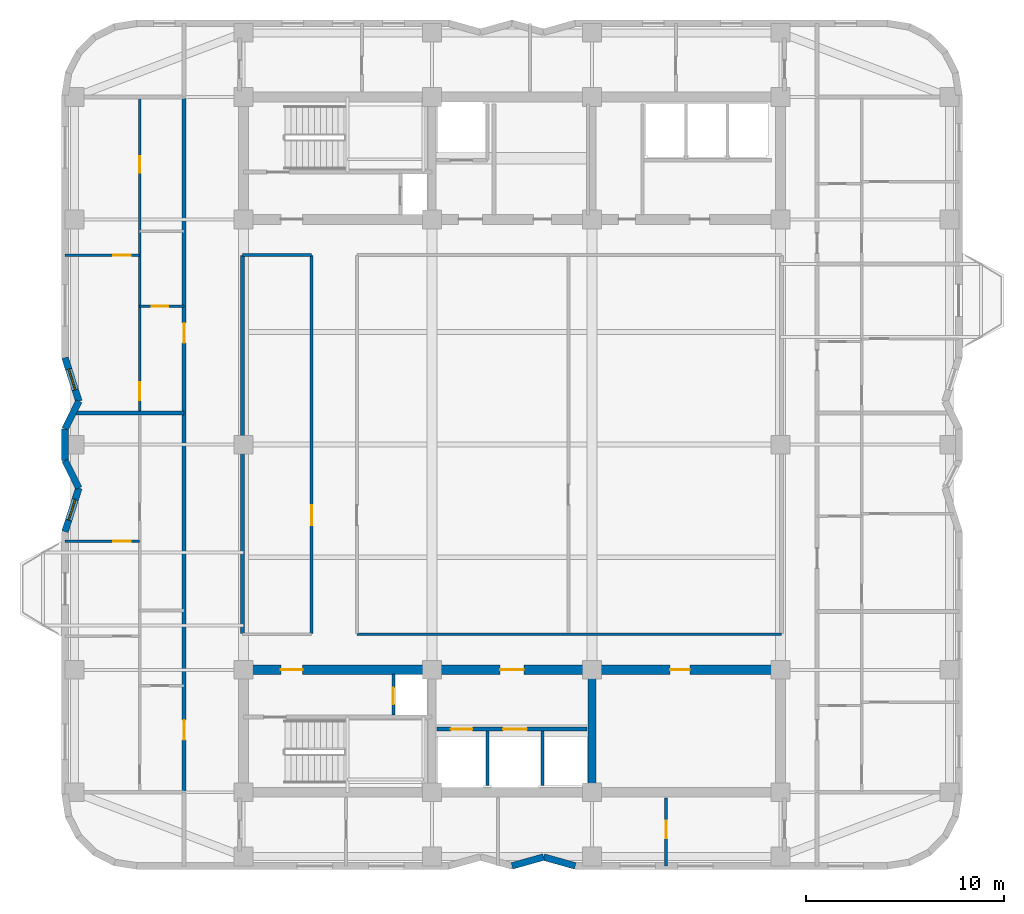
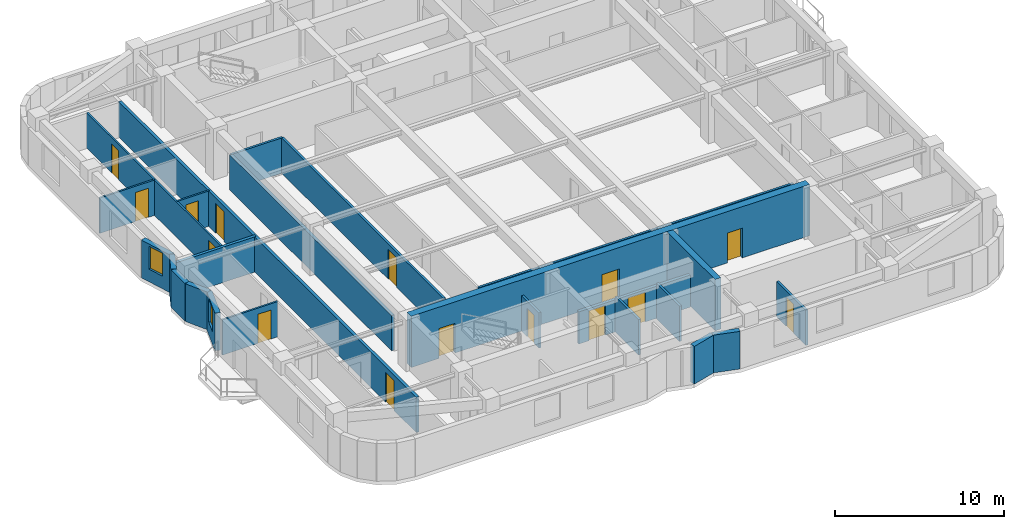
# One storey, part 3 of 9: 24 walls, 15 doors, 2 windows, 17 openings.
"""IFC4 building model written with IfcOpenShell, lengths in metres."""

from ifc_helpers import new_model, si_unit, direction, frame, frame_2d, origin, place, context, subcontext, project, spatial, rectangle, extrude, material, layer, layer_set, type_object, element, fill, save


model = new_model("IFC4")

# Units and contexts
model_context = context("Model", 3, precision=1e-05, world=origin(), true_north=direction((0.0, 1.0)))
body_context = subcontext(model_context, "Body", "Model", "MODEL_VIEW")
ifc_project = project(units=[si_unit("LENGTHUNIT", "METRE"), si_unit("AREAUNIT", "SQUARE_METRE"), si_unit("VOLUMEUNIT", "CUBIC_METRE"), si_unit("PLANEANGLEUNIT", "RADIAN"), si_unit("MASSUNIT", "GRAM", prefix="KILO")], contexts=[model_context])

# Site, building, storey
site_placement = place(None, origin())
site = spatial("IfcSite", under=ifc_project, at=site_placement, CompositionType="ELEMENT")
building_placement = place(site_placement, origin())
building = spatial("IfcBuilding", under=site, at=building_placement, Name="Svetorya Sky Lyceum", CompositionType="ELEMENT")
storey_placement = place(building_placement, frame((0.0, 0.0, 181.10009765625)))
storey = spatial("IfcBuildingStorey", under=building, at=storey_placement, Name="L45", CompositionType="ELEMENT", Elevation=181.10009765625)

# Wall
ifc_material_1 = material(Name="Concrete C40/50", Category="concrete")
ifc_layer_1 = layer(ifc_material_1, 0.39990234375)
ifc_layer_set_1 = layer_set([ifc_layer_1], Name="Concrete C40/50")
wall_type_1 = type_object("IfcWallType", Name="WL-CORE-400", PredefinedType="SHEAR", material=ifc_layer_set_1)
wall_1_placement = place(storey_placement, frame((43.25, 10.85009765625, 0.0), z_axis=(0.0, 0.0, 1.0), x_axis=(0.0, 1.0, 0.0)))
element("IfcWall", 1, at=wall_1_placement, inside=storey, type_object=wall_type_1, Name="L45 SC Internal Shear Web WEB2", PredefinedType="SHEAR", context=body_context, shape_type="SweptSolid", body=[
    extrude(rectangle(XDim=5.699951171875, YDim=0.39990234375, at=frame_2d((2.85009765625, 0.0))), origin(), (0.0, 0.0, 1.0), 3.699951171875),
])

# Wall, openings, doors
ifc_material_2 = material(Name="Concrete C50/60", Category="concrete")
ifc_layer_2 = layer(ifc_material_2, 0.5)
ifc_layer_set_2 = layer_set([ifc_layer_2], Name="Concrete C50/60")
wall_type_2 = type_object("IfcWallType", Name="WL-CORE-500", PredefinedType="SHEAR", material=ifc_layer_set_2)
wall_2_placement = place(storey_placement, frame((25.60009765625, 16.800048828125, 0.0), z_axis=(0.0, 0.0, 1.0), x_axis=(1.0, 0.0, 0.0)))
wall_2 = element("IfcWall", 2, at=wall_2_placement, inside=storey, type_object=wall_type_2, Name="L45 SC Inner Core Shear Wall", PredefinedType="SHEAR", context=body_context, shape_type="SweptSolid", body=[
    extrude(rectangle(XDim=27.199951171875, YDim=0.5, at=frame_2d((13.60009765625, 0.0))), origin(), (0.0, 0.0, 1.0), 3.699951171875),
])
opening_1_placement = place(wall_2_placement, frame((1.89990234375, 0.0, 0.0)))
opening_1 = element("IfcOpeningElement", 3, at=opening_1_placement, cuts=wall_2, Name="Opening D-ST1", PredefinedType="OPENING", context=body_context, shape_type="SweptSolid", body=[
    extrude(rectangle(XDim=1.10009765625, YDim=2.14990234375, at=frame_2d((0.550048828125, 1.074951171875))), frame((0.0, 0.260009765625, 0.0), z_axis=(0.0, -1.0, 0.0), x_axis=(1.0, 0.0, 0.0)), (0.0, 0.0, 1.0), 0.52001953125),
])
opening_2_placement = place(wall_2_placement, frame((13.0, 0.0, 0.0)))
opening_2 = element("IfcOpeningElement", 4, at=opening_2_placement, cuts=wall_2, Name="Opening D-FL1", PredefinedType="OPENING", context=body_context, shape_type="SweptSolid", body=[
    extrude(rectangle(XDim=1.199951171875, YDim=2.14990234375, at=frame_2d((0.60009765625, 1.074951171875))), frame((0.0, 0.260009765625, 0.0), z_axis=(0.0, -1.0, 0.0), x_axis=(1.0, 0.0, 0.0)), (0.0, 0.0, 1.0), 0.52001953125),
])
opening_3_placement = place(wall_2_placement, frame((21.60009765625, 0.0, 0.0)))
opening_3 = element("IfcOpeningElement", 5, at=opening_3_placement, cuts=wall_2, Name="Opening D-RM2", PredefinedType="OPENING", context=body_context, shape_type="SweptSolid", body=[
    extrude(rectangle(XDim=1.0, YDim=2.14990234375, at=frame_2d((0.5, 1.074951171875))), frame((0.0, 0.260009765625, 0.0), z_axis=(0.0, -1.0, 0.0), x_axis=(1.0, 0.0, 0.0)), (0.0, 0.0, 1.0), 0.52001953125),
])
ifc_material_3 = material(Name="Powder-coated insulated galvanized stair fire door")
door_type_1 = type_object("IfcDoorType", Name="DR-FIRE-1100", OperationType="SINGLE_SWING_LEFT", PredefinedType="DOOR", material=ifc_material_3)
door_1_placement = place(opening_1_placement, origin())
door_1 = element("IfcDoor", 6, at=door_1_placement, inside=storey, type_object=door_type_1, Name="L45 South Stair Airlock Door", OperationType="SINGLE_SWING_RIGHT", OverallHeight=2.14990234375, OverallWidth=1.10009765625, PredefinedType="DOOR", context=body_context, shape_type="SweptSolid", body=[
    extrude(rectangle(XDim=1.10009765625, YDim=2.14990234375, at=frame_2d((0.550048828125, 1.074951171875))), frame((0.0, 0.02490234375, 0.0), z_axis=(0.0, -1.0, 0.0), x_axis=(1.0, 0.0, 0.0)), (0.0, 0.0, 1.0), 0.050048828125),
])
fill(opening_1, door_1)
ifc_material_4 = material(Name="Powder-coated insulated galvanized fire door")
door_type_2 = type_object("IfcDoorType", Name="DR-FIRE-1200", OperationType="SINGLE_SWING_LEFT", PredefinedType="DOOR", material=ifc_material_4)
door_2_placement = place(opening_2_placement, origin())
door_2 = element("IfcDoor", 7, at=door_2_placement, inside=storey, type_object=door_type_2, Name="L45 South Firefighting Lift Lobby Door", OperationType="SINGLE_SWING_LEFT", OverallHeight=2.14990234375, OverallWidth=1.199951171875, PredefinedType="DOOR", context=body_context, shape_type="SweptSolid", body=[
    extrude(rectangle(XDim=1.199951171875, YDim=2.14990234375, at=frame_2d((0.60009765625, 1.074951171875))), frame((0.0, 0.02490234375, 0.0), z_axis=(0.0, -1.0, 0.0), x_axis=(1.0, 0.0, 0.0)), (0.0, 0.0, 1.0), 0.050048828125),
])
fill(opening_2, door_2)
ifc_material_5 = material(Name="Solid-core oak acoustic room door")
door_type_3 = type_object("IfcDoorType", Name="DR-INT-1000", OperationType="SINGLE_SWING_LEFT", PredefinedType="DOOR", material=ifc_material_5)
door_3_placement = place(opening_3_placement, origin())
door_3 = element("IfcDoor", 8, at=door_3_placement, inside=storey, type_object=door_type_3, Name="L45 Trunk Store Door", OperationType="SINGLE_SWING_LEFT", OverallHeight=2.14990234375, OverallWidth=1.0, PredefinedType="DOOR", context=body_context, shape_type="SweptSolid", body=[
    extrude(rectangle(XDim=1.0, YDim=2.14990234375, at=frame_2d((0.5, 1.074951171875))), frame((0.0, 0.02490234375, 0.0), z_axis=(0.0, -1.0, 0.0), x_axis=(1.0, 0.0, 0.0)), (0.0, 0.0, 1.0), 0.050048828125),
])
fill(opening_3, door_3)

# Walls
ifc_material_6 = material(Name="Putilovo limestone rainscreen on autoclaved cellular masonry", Category="masonry")
ifc_layer_3 = layer(ifc_material_6, 0.340087890625)
ifc_layer_set_3 = layer_set([ifc_layer_3], Name="Putilovo limestone rainscreen on autoclaved cellular masonry")
wall_type_3 = type_object("IfcWallType", Name="WL-EXT-340", PredefinedType="SOLIDWALL", material=ifc_layer_set_3)
wall_3_placement = place(storey_placement, frame((39.199951171875, 6.8701171875, 0.0), z_axis=(0.0, 0.0, 1.0), x_axis=(0.962662902433, 0.270703040766, 0.0)))
element("IfcWall", 9, at=wall_3_placement, inside=storey, type_object=wall_type_3, Name="L45 Limestone Exterior Wall 9M", PredefinedType="SOLIDWALL", context=body_context, shape_type="SweptSolid", body=[
    extrude(rectangle(XDim=1.662109375, YDim=0.340087890625, at=frame_2d((0.8310546875, 0.0))), origin(), (0.0, 0.0, 1.0), 2.719970703125),
])
wall_4_placement = place(storey_placement, frame((40.800048828125, 7.320068359375, 0.0), z_axis=(0.0, 0.0, 1.0), x_axis=(0.962652136636, -0.270741322725, 0.0)))
element("IfcWall", 10, at=wall_4_placement, inside=storey, type_object=wall_type_3, Name="L45 Limestone Exterior Wall 10M", PredefinedType="SOLIDWALL", context=body_context, shape_type="SweptSolid", body=[
    extrude(rectangle(XDim=1.661865234375, YDim=0.340087890625, at=frame_2d((0.8310546875, 0.0))), origin(), (0.0, 0.0, 1.0), 2.719970703125),
])

# Wall, opening, window
wall_5_placement = place(storey_placement, frame((16.570068359375, 32.60009765625, 0.0), z_axis=(0.0, 0.0, 1.0), x_axis=(0.303160011437, -0.952939666225, 0.0)))
wall_5 = element("IfcWall", 11, at=wall_5_placement, inside=storey, type_object=wall_type_3, Name="L45 Limestone Exterior Wall 41M", PredefinedType="SOLIDWALL", context=body_context, shape_type="SweptSolid", body=[
    extrude(rectangle(XDim=2.308837890625, YDim=0.340087890625, at=frame_2d((1.154296875, 0.0))), origin(), (0.0, 0.0, 1.0), 2.719970703125),
])
opening_4_placement = place(wall_5_placement, frame((0.604248046875, 0.0, 0.909912109375)))
opening_4 = element("IfcOpeningElement", 12, at=opening_4_placement, cuts=wall_5, Name="Opening W-R3", PredefinedType="OPENING", context=body_context, shape_type="SweptSolid", body=[
    extrude(rectangle(XDim=1.10009765625, YDim=1.64990234375, at=frame_2d((0.550048828125, 0.824951171875))), frame((0.0, 0.179931640625, 0.0), z_axis=(0.0, -1.0, 0.0), x_axis=(1.0, 0.0, 0.0)), (0.0, 0.0, 1.0), 0.360107421875),
])
ifc_material_7 = material(Name="Thermally broken aluminium frame with triple low-E glazing", Category="aluminium")
window_type = type_object("IfcWindowType", Name="WN-RES-110", PartitioningType="SINGLE_PANEL", PredefinedType="WINDOW", material=ifc_material_7)
window_1_placement = place(opening_4_placement, origin())
window_1 = element("IfcWindow", 13, at=window_1_placement, inside=storey, type_object=window_type, Name="L45 Facade Window W-R3.41M.1", OverallHeight=1.64990234375, OverallWidth=1.10009765625, PartitioningType="SINGLE_PANEL", PredefinedType="WINDOW", context=body_context, shape_type="SweptSolid", body=[
    extrude(rectangle(XDim=1.10009765625, YDim=1.64990234375, at=frame_2d((0.550048828125, 0.824951171875))), frame((0.0, 0.030029296875, 0.0), z_axis=(0.0, -1.0, 0.0), x_axis=(1.0, 0.0, 0.0)), (0.0, 0.0, 1.0), 0.06005859375),
])
fill(opening_4, window_1)

# Walls
wall_6_placement = place(storey_placement, frame((17.27001953125, 30.39990234375, 0.0), z_axis=(0.0, 0.0, 1.0), x_axis=(-0.4472135955, -0.894427191, 0.0)))
element("IfcWall", 14, at=wall_6_placement, inside=storey, type_object=wall_type_3, Name="L45 Limestone Exterior Wall 42M", PredefinedType="SOLIDWALL", context=body_context, shape_type="SweptSolid", body=[
    extrude(rectangle(XDim=1.565185546875, YDim=0.340087890625, at=frame_2d((0.78271484375, 0.0))), origin(), (0.0, 0.0, 1.0), 2.719970703125),
])
wall_7_placement = place(storey_placement, frame((16.570068359375, 29.0, 0.0), z_axis=(0.0, 0.0, 1.0), x_axis=(0.0, -1.0, 0.0)))
element("IfcWall", 15, at=wall_7_placement, inside=storey, type_object=wall_type_3, Name="L45 Limestone Exterior Wall 43M", PredefinedType="SOLIDWALL", context=body_context, shape_type="SweptSolid", body=[
    extrude(rectangle(XDim=1.60009765625, YDim=0.340087890625, at=frame_2d((0.800048828125, 0.0))), origin(), (0.0, 0.0, 1.0), 2.719970703125),
])
wall_8_placement = place(storey_placement, frame((16.570068359375, 27.39990234375, 0.0), z_axis=(0.0, 0.0, 1.0), x_axis=(0.4472135955, -0.894427191, 0.0)))
element("IfcWall", 16, at=wall_8_placement, inside=storey, type_object=wall_type_3, Name="L45 Limestone Exterior Wall 44M", PredefinedType="SOLIDWALL", context=body_context, shape_type="SweptSolid", body=[
    extrude(rectangle(XDim=1.565185546875, YDim=0.340087890625, at=frame_2d((0.78271484375, 0.0))), origin(), (0.0, 0.0, 1.0), 2.719970703125),
])

# Wall, opening, window
wall_9_placement = place(storey_placement, frame((17.27001953125, 26.0, 0.0), z_axis=(0.0, 0.0, 1.0), x_axis=(-0.303190562272, -0.952929946507, 0.0)))
wall_9 = element("IfcWall", 17, at=wall_9_placement, inside=storey, type_object=wall_type_3, Name="L45 Limestone Exterior Wall 45M", PredefinedType="SOLIDWALL", context=body_context, shape_type="SweptSolid", body=[
    extrude(rectangle(XDim=2.30859375, YDim=0.340087890625, at=frame_2d((1.154296875, 0.0))), origin(), (0.0, 0.0, 1.0), 2.719970703125),
])
opening_5_placement = place(wall_9_placement, frame((0.604248046875, 0.0, 0.909912109375)))
opening_5 = element("IfcOpeningElement", 18, at=opening_5_placement, cuts=wall_9, Name="Opening W-R3", PredefinedType="OPENING", context=body_context, shape_type="SweptSolid", body=[
    extrude(rectangle(XDim=1.10009765625, YDim=1.64990234375, at=frame_2d((0.550048828125, 0.824951171875))), frame((0.0, 0.179931640625, 0.0), z_axis=(0.0, -1.0, 0.0), x_axis=(1.0, 0.0, 0.0)), (0.0, 0.0, 1.0), 0.360107421875),
])
window_2_placement = place(opening_5_placement, origin())
window_2 = element("IfcWindow", 19, at=window_2_placement, inside=storey, type_object=window_type, Name="L45 Facade Window W-R3.45M.1", OverallHeight=1.64990234375, OverallWidth=1.10009765625, PartitioningType="SINGLE_PANEL", PredefinedType="WINDOW", context=body_context, shape_type="SweptSolid", body=[
    extrude(rectangle(XDim=1.10009765625, YDim=1.64990234375, at=frame_2d((0.550048828125, 0.824951171875))), frame((0.0, 0.030029296875, 0.0), z_axis=(0.0, -1.0, 0.0), x_axis=(1.0, 0.0, 0.0)), (0.0, 0.0, 1.0), 0.06005859375),
])
fill(opening_5, window_2)

# Wall, opening, door
ifc_material_8 = material(Name="Twin-stud galvanized framing with double fireboard", Category="gypsum")
ifc_layer_4 = layer(ifc_material_8, 0.1201171875)
ifc_layer_set_4 = layer_set([ifc_layer_4], Name="Twin-stud galvanized framing with double fireboard")
wall_type_4 = type_object("IfcWallType", Name="WL-PART-120", PredefinedType="PARTITIONING", material=ifc_layer_set_4)
wall_10_placement = place(storey_placement, frame((16.570068359375, 23.300048828125, 0.0), z_axis=(0.0, 0.0, 1.0), x_axis=(1.0, 0.0, 0.0)))
wall_10 = element("IfcWall", 20, at=wall_10_placement, inside=storey, type_object=wall_type_4, Name="L45 Interior Partition W1-WL2", PredefinedType="PARTITIONING", context=body_context, shape_type="SweptSolid", body=[
    extrude(rectangle(XDim=3.780029296875, YDim=0.1201171875, at=frame_2d((1.89013671875, 0.0))), origin(), (0.0, 0.0, 1.0), 2.5498046875),
])
opening_6_placement = place(wall_10_placement, frame((2.429931640625, 0.0, 0.0)))
opening_6 = element("IfcOpeningElement", 21, at=opening_6_placement, cuts=wall_10, Name="Opening D-RM1", PredefinedType="OPENING", context=body_context, shape_type="SweptSolid", body=[
    extrude(rectangle(XDim=0.89990234375, YDim=2.10009765625, at=frame_2d((0.449951171875, 1.050048828125))), frame((0.0, 0.070068359375, 0.0), z_axis=(0.0, -1.0, 0.0), x_axis=(1.0, 0.0, 0.0)), (0.0, 0.0, 1.0), 0.14013671875),
])
ifc_material_9 = material(Name="Lacquered birch veneer internal door")
door_type_4 = type_object("IfcDoorType", Name="DR-INT-900", OperationType="SINGLE_SWING_LEFT", PredefinedType="DOOR", material=ifc_material_9)
door_4_placement = place(opening_6_placement, origin())
door_4 = element("IfcDoor", 22, at=door_4_placement, inside=storey, type_object=door_type_4, Name="Apartment W1 Bedroom 2 Door", OperationType="SINGLE_SWING_RIGHT", OverallHeight=2.10009765625, OverallWidth=0.89990234375, PredefinedType="DOOR", context=body_context, shape_type="SweptSolid", body=[
    extrude(rectangle(XDim=0.89990234375, YDim=2.10009765625, at=frame_2d((0.449951171875, 1.050048828125))), frame((0.0, 0.02490234375, 0.0), z_axis=(0.0, -1.0, 0.0), x_axis=(1.0, 0.0, 0.0)), (0.0, 0.0, 1.0), 0.050048828125),
])
fill(opening_6, door_4)

wall_11_placement = place(storey_placement, frame((20.35009765625, 35.199951171875, 0.0), z_axis=(0.0, 0.0, 1.0), x_axis=(1.0, 0.0, 0.0)))
wall_11 = element("IfcWall", 23, at=wall_11_placement, inside=storey, type_object=wall_type_4, Name="L45 Interior Partition W2-WH1", PredefinedType="PARTITIONING", context=body_context, shape_type="SweptSolid", body=[
    extrude(rectangle(XDim=2.25, YDim=0.1201171875, at=frame_2d((1.125, 0.0))), origin(), (0.0, 0.0, 1.0), 2.5498046875),
])
opening_7_placement = place(wall_11_placement, frame((0.60009765625, 0.0, 0.0)))
opening_7 = element("IfcOpeningElement", 24, at=opening_7_placement, cuts=wall_11, Name="Opening D-BT1", PredefinedType="OPENING", context=body_context, shape_type="SweptSolid", body=[
    extrude(rectangle(XDim=0.85009765625, YDim=2.10009765625, at=frame_2d((0.425048828125, 1.050048828125))), frame((0.0, 0.070068359375, 0.0), z_axis=(0.0, -1.0, 0.0), x_axis=(1.0, 0.0, 0.0)), (0.0, 0.0, 1.0), 0.14013671875),
])
ifc_material_10 = material(Name="Moisture-resistant laminate bathroom door")
door_type_5 = type_object("IfcDoorType", Name="DR-WET-850", OperationType="SINGLE_SWING_LEFT", PredefinedType="DOOR", material=ifc_material_10)
door_5_placement = place(opening_7_placement, origin())
door_5 = element("IfcDoor", 25, at=door_5_placement, inside=storey, type_object=door_type_5, Name="Apartment W2 Bathroom Door", OperationType="SINGLE_SWING_RIGHT", OverallHeight=2.10009765625, OverallWidth=0.85009765625, PredefinedType="DOOR", context=body_context, shape_type="SweptSolid", body=[
    extrude(rectangle(XDim=0.85009765625, YDim=2.10009765625, at=frame_2d((0.425048828125, 1.050048828125))), frame((0.0, 0.02490234375, 0.0), z_axis=(0.0, -1.0, 0.0), x_axis=(1.0, 0.0, 0.0)), (0.0, 0.0, 1.0), 0.050048828125),
])
fill(opening_7, door_5)

wall_12_placement = place(storey_placement, frame((16.570068359375, 37.7900390625, 0.0), z_axis=(0.0, 0.0, 1.0), x_axis=(1.0, 0.0, 0.0)))
wall_12 = element("IfcWall", 26, at=wall_12_placement, inside=storey, type_object=wall_type_4, Name="L45 Interior Partition W2-WL1", PredefinedType="PARTITIONING", context=body_context, shape_type="SweptSolid", body=[
    extrude(rectangle(XDim=3.780029296875, YDim=0.1201171875, at=frame_2d((1.89013671875, 0.0))), origin(), (0.0, 0.0, 1.0), 2.5498046875),
])
opening_8_placement = place(wall_12_placement, frame((2.429931640625, 0.0, 0.0)))
opening_8 = element("IfcOpeningElement", 27, at=opening_8_placement, cuts=wall_12, Name="Opening D-RM1", PredefinedType="OPENING", context=body_context, shape_type="SweptSolid", body=[
    extrude(rectangle(XDim=0.89990234375, YDim=2.10009765625, at=frame_2d((0.449951171875, 1.050048828125))), frame((0.0, 0.070068359375, 0.0), z_axis=(0.0, -1.0, 0.0), x_axis=(1.0, 0.0, 0.0)), (0.0, 0.0, 1.0), 0.14013671875),
])
door_6_placement = place(opening_8_placement, origin())
door_6 = element("IfcDoor", 28, at=door_6_placement, inside=storey, type_object=door_type_4, Name="Apartment W2 Bedroom 1 Door", OperationType="SINGLE_SWING_RIGHT", OverallHeight=2.10009765625, OverallWidth=0.89990234375, PredefinedType="DOOR", context=body_context, shape_type="SweptSolid", body=[
    extrude(rectangle(XDim=0.89990234375, YDim=2.10009765625, at=frame_2d((0.449951171875, 1.050048828125))), frame((0.0, 0.02490234375, 0.0), z_axis=(0.0, -1.0, 0.0), x_axis=(1.0, 0.0, 0.0)), (0.0, 0.0, 1.0), 0.050048828125),
])
fill(opening_8, door_6)

# Wall, openings, doors
wall_13_placement = place(storey_placement, frame((20.35009765625, 29.840087890625, 0.0), z_axis=(0.0, 0.0, 1.0), x_axis=(0.0, 1.0, 0.0)))
wall_13 = element("IfcWall", 29, at=wall_13_placement, inside=storey, type_object=wall_type_4, Name="L45 Interior Partition W2-WV", PredefinedType="PARTITIONING", context=body_context, shape_type="SweptSolid", body=[
    extrude(rectangle(XDim=15.919921875, YDim=0.1201171875, at=frame_2d((7.9599609375, 0.0))), origin(), (0.0, 0.0, 1.0), 2.5498046875),
])
opening_9_placement = place(wall_13_placement, frame((0.610107421875, 0.0, 0.0)))
opening_9 = element("IfcOpeningElement", 30, at=opening_9_placement, cuts=wall_13, Name="Opening D-RM1", PredefinedType="OPENING", context=body_context, shape_type="SweptSolid", body=[
    extrude(rectangle(XDim=0.89990234375, YDim=2.10009765625, at=frame_2d((0.449951171875, 1.050048828125))), frame((0.0, 0.070068359375, 0.0), z_axis=(0.0, -1.0, 0.0), x_axis=(1.0, 0.0, 0.0)), (0.0, 0.0, 1.0), 0.14013671875),
])
opening_10_placement = place(wall_13_placement, frame((12.135009765625, 0.0, 0.0)))
opening_10 = element("IfcOpeningElement", 31, at=opening_10_placement, cuts=wall_13, Name="Opening D-BT2", PredefinedType="OPENING", context=body_context, shape_type="SweptSolid", body=[
    extrude(rectangle(XDim=0.820068359375, YDim=2.080078125, at=frame_2d((0.41015625, 1.0400390625))), frame((0.0, 0.070068359375, 0.0), z_axis=(0.0, -1.0, 0.0), x_axis=(1.0, 0.0, 0.0)), (0.0, 0.0, 1.0), 0.14013671875),
])
door_7_placement = place(opening_9_placement, origin())
door_7 = element("IfcDoor", 32, at=door_7_placement, inside=storey, type_object=door_type_4, Name="Apartment W2 Living Door", OperationType="SINGLE_SWING_LEFT", OverallHeight=2.10009765625, OverallWidth=0.89990234375, PredefinedType="DOOR", context=body_context, shape_type="SweptSolid", body=[
    extrude(rectangle(XDim=0.89990234375, YDim=2.10009765625, at=frame_2d((0.449951171875, 1.050048828125))), frame((0.0, 0.02490234375, 0.0), z_axis=(0.0, -1.0, 0.0), x_axis=(1.0, 0.0, 0.0)), (0.0, 0.0, 1.0), 0.050048828125),
])
fill(opening_9, door_7)
ifc_material_11 = material(Name="Compact moisture-resistant laminate closet door")
door_type_6 = type_object("IfcDoorType", Name="DR-WET-820", OperationType="SINGLE_SWING_LEFT", PredefinedType="DOOR", material=ifc_material_11)
door_8_placement = place(opening_10_placement, origin())
door_8 = element("IfcDoor", 33, at=door_8_placement, inside=storey, type_object=door_type_6, Name="Apartment W2 Study Door", OperationType="SINGLE_SWING_RIGHT", OverallHeight=2.080078125, OverallWidth=0.820068359375, PredefinedType="DOOR", context=body_context, shape_type="SweptSolid", body=[
    extrude(rectangle(XDim=0.820068359375, YDim=2.080078125, at=frame_2d((0.41015625, 1.0400390625))), frame((0.0, 0.02490234375, 0.0), z_axis=(0.0, -1.0, 0.0), x_axis=(1.0, 0.0, 0.0)), (0.0, 0.0, 1.0), 0.050048828125),
])
fill(opening_10, door_8)

# Wall, opening, door
ifc_material_12 = material(Name="Autoclaved cellular masonry blockwork with acoustic render", Category="masonry")
ifc_layer_5 = layer(ifc_material_12, 0.14990234375)
ifc_layer_set_5 = layer_set([ifc_layer_5], Name="Autoclaved cellular masonry blockwork with acoustic render")
wall_type_5 = type_object("IfcWallType", Name="WL-PART-150", PredefinedType="PARTITIONING", material=ifc_layer_set_5)
wall_14_placement = place(storey_placement, frame((33.199951171875, 14.5, 0.0), z_axis=(0.0, 0.0, 1.0), x_axis=(0.0, 1.0, 0.0)))
wall_14 = element("IfcWall", 34, at=wall_14_placement, inside=storey, type_object=wall_type_5, Name="L45 Interior Partition SC-AIRDIV", PredefinedType="PARTITIONING", context=body_context, shape_type="SweptSolid", body=[
    extrude(rectangle(XDim=2.080078125, YDim=0.14990234375, at=frame_2d((1.0400390625, 0.0))), origin(), (0.0, 0.0, 1.0), 2.5498046875),
])
opening_11_placement = place(wall_14_placement, frame((0.550048828125, 0.0, 0.0)))
opening_11 = element("IfcOpeningElement", 35, at=opening_11_placement, cuts=wall_14, Name="Opening D-SH1", PredefinedType="OPENING", context=body_context, shape_type="SweptSolid", body=[
    extrude(rectangle(XDim=0.85009765625, YDim=2.050048828125, at=frame_2d((0.425048828125, 1.02490234375))), frame((0.0, 0.0849609375, 0.0), z_axis=(0.0, -1.0, 0.0), x_axis=(1.0, 0.0, 0.0)), (0.0, 0.0, 1.0), 0.169921875),
])
ifc_material_13 = material(Name="Insulated galvanized riser inspection fire door")
door_type_7 = type_object("IfcDoorType", Name="DR-SHFT-850", OperationType="SINGLE_SWING_LEFT", PredefinedType="TRAPDOOR", material=ifc_material_13)
door_9_placement = place(opening_11_placement, origin())
door_9 = element("IfcDoor", 36, at=door_9_placement, inside=storey, type_object=door_type_7, Name="L45 South Riser Access Door", OperationType="SINGLE_SWING_RIGHT", OverallHeight=2.050048828125, OverallWidth=0.85009765625, PredefinedType="TRAPDOOR", context=body_context, shape_type="SweptSolid", body=[
    extrude(rectangle(XDim=0.85009765625, YDim=2.050048828125, at=frame_2d((0.425048828125, 1.02490234375))), frame((0.0, 0.02490234375, 0.0), z_axis=(0.0, -1.0, 0.0), x_axis=(1.0, 0.0, 0.0)), (0.0, 0.0, 1.0), 0.050048828125),
])
fill(opening_11, door_9)

# Walls
for number, where, z_axis, x_axis, name in (
    (37, (37.949951171875, 10.949951171875, 0.0), (0.0, 0.0, 1.0), (0.0, 1.0, 0.0), "L45 Interior Partition SC-SHD1"),
    (38, (40.75, 10.949951171875, 0.0), (0.0, 0.0, 1.0), (0.0, 1.0, 0.0), "L45 Interior Partition SC-SHD2"),
):
    element("IfcWall", number, at=place(storey_placement, frame(where, z_axis=z_axis, x_axis=x_axis)), inside=storey, type_object=wall_type_5, Name=name, PredefinedType="PARTITIONING", context=body_context, shape_type="SweptSolid", body=[
        extrude(rectangle(XDim=2.75, YDim=0.14990234375, at=frame_2d((1.375, 0.0))), origin(), (0.0, 0.0, 1.0), 2.5498046875),
    ])
wall_15_placement = place(storey_placement, frame((31.35009765625, 18.60009765625, 0.0), z_axis=(0.0, 0.0, 1.0), x_axis=(1.0, 0.0, 0.0)))
element("IfcWall", 39, at=wall_15_placement, inside=storey, type_object=wall_type_5, Name="L45 Interior Partition OFF-CS-E", PredefinedType="PARTITIONING", context=body_context, shape_type="SweptSolid", body=[
    extrude(rectangle(XDim=21.5, YDim=0.14990234375, at=frame_2d((10.75, 0.0))), origin(), (0.0, 0.0, 1.0), 2.5498046875),
])
wall_16_placement = place(storey_placement, frame((25.550048828125, 37.800048828125, 0.0), z_axis=(0.0, 0.0, 1.0), x_axis=(1.0, 0.0, 0.0)))
element("IfcWall", 40, at=wall_16_placement, inside=storey, type_object=wall_type_5, Name="L45 Interior Partition OFF-CN-W", PredefinedType="PARTITIONING", context=body_context, shape_type="SweptSolid", body=[
    extrude(rectangle(XDim=3.5, YDim=0.14990234375, at=frame_2d((1.75, 0.0))), origin(), (0.0, 0.0, 1.0), 2.5498046875),
])

# Wall, opening, door
wall_17_placement = place(storey_placement, frame((29.050048828125, 18.6298828125, 0.0), z_axis=(0.0, 0.0, 1.0), x_axis=(0.0, 1.0, 0.0)))
wall_17 = element("IfcWall", 41, at=wall_17_placement, inside=storey, type_object=wall_type_5, Name="L45 Interior Partition OFF-VW", PredefinedType="PARTITIONING", context=body_context, shape_type="SweptSolid", body=[
    extrude(rectangle(XDim=19.14013671875, YDim=0.14990234375, at=frame_2d((9.570068359375, 0.0))), origin(), (0.0, 0.0, 1.0), 2.5498046875),
])
opening_12_placement = place(wall_17_placement, frame((5.5, 0.0, 0.0)))
opening_12 = element("IfcOpeningElement", 42, at=opening_12_placement, cuts=wall_17, Name="Opening D-RM2", PredefinedType="OPENING", context=body_context, shape_type="SweptSolid", body=[
    extrude(rectangle(XDim=1.0, YDim=2.14990234375, at=frame_2d((0.5, 1.074951171875))), frame((0.0, 0.0849609375, 0.0), z_axis=(0.0, -1.0, 0.0), x_axis=(1.0, 0.0, 0.0)), (0.0, 0.0, 1.0), 0.169921875),
])
door_10_placement = place(opening_12_placement, origin())
door_10 = element("IfcDoor", 43, at=door_10_placement, inside=storey, type_object=door_type_3, Name="L45 West Office Door", OperationType="SINGLE_SWING_LEFT", OverallHeight=2.14990234375, OverallWidth=1.0, PredefinedType="DOOR", context=body_context, shape_type="SweptSolid", body=[
    extrude(rectangle(XDim=1.0, YDim=2.14990234375, at=frame_2d((0.5, 1.074951171875))), frame((0.0, 0.02490234375, 0.0), z_axis=(0.0, -1.0, 0.0), x_axis=(1.0, 0.0, 0.0)), (0.0, 0.0, 1.0), 0.050048828125),
])
fill(opening_12, door_10)

wall_18_placement = place(storey_placement, frame((47.0, 6.8701171875, 0.0), z_axis=(0.0, 0.0, 1.0), x_axis=(0.0, 1.0, 0.0)))
wall_18 = element("IfcWall", 44, at=wall_18_placement, inside=storey, type_object=wall_type_5, Name="L45 Interior Partition S4-D3", PredefinedType="PARTITIONING", context=body_context, shape_type="SweptSolid", body=[
    extrude(rectangle(XDim=3.429931640625, YDim=0.14990234375, at=frame_2d((1.71484375, 0.0))), origin(), (0.0, 0.0, 1.0), 2.5498046875),
])
opening_13_placement = place(wall_18_placement, frame((1.39990234375, 0.0, 0.0)))
opening_13 = element("IfcOpeningElement", 45, at=opening_13_placement, cuts=wall_18, Name="Opening D-RM1", PredefinedType="OPENING", context=body_context, shape_type="SweptSolid", body=[
    extrude(rectangle(XDim=0.89990234375, YDim=2.10009765625, at=frame_2d((0.449951171875, 1.050048828125))), frame((0.0, 0.0849609375, 0.0), z_axis=(0.0, -1.0, 0.0), x_axis=(1.0, 0.0, 0.0)), (0.0, 0.0, 1.0), 0.169921875),
])
door_11_placement = place(opening_13_placement, origin())
door_11 = element("IfcDoor", 46, at=door_11_placement, inside=storey, type_object=door_type_4, Name="L45 South Suite Door 3", OperationType="SINGLE_SWING_LEFT", OverallHeight=2.10009765625, OverallWidth=0.89990234375, PredefinedType="DOOR", context=body_context, shape_type="SweptSolid", body=[
    extrude(rectangle(XDim=0.89990234375, YDim=2.10009765625, at=frame_2d((0.449951171875, 1.050048828125))), frame((0.0, 0.02490234375, 0.0), z_axis=(0.0, -1.0, 0.0), x_axis=(1.0, 0.0, 0.0)), (0.0, 0.0, 1.0), 0.050048828125),
])
fill(opening_13, door_11)

# Wall, openings, doors
ifc_material_14 = material(Name="Autoclaved cellular masonry blockwork with gypsum plaster", Category="masonry")
ifc_layer_6 = layer(ifc_material_14, 0.199951171875)
ifc_layer_set_6 = layer_set([ifc_layer_6], Name="Autoclaved cellular masonry blockwork with gypsum plaster")
wall_type_6 = type_object("IfcWallType", Name="WL-PART-200", PredefinedType="PARTITIONING", material=ifc_layer_set_6)
wall_19_placement = place(storey_placement, frame((35.39990234375, 13.800048828125, 0.0), z_axis=(0.0, 0.0, 1.0), x_axis=(1.0, 0.0, 0.0)))
wall_19 = element("IfcWall", 47, at=wall_19_placement, inside=storey, type_object=wall_type_6, Name="L45 Interior Partition SC-FLW", PredefinedType="PARTITIONING", context=body_context, shape_type="SweptSolid", body=[
    extrude(rectangle(XDim=7.60009765625, YDim=0.199951171875, at=frame_2d((3.800048828125, 0.0))), origin(), (0.0, 0.0, 1.0), 2.31982421875),
])
opening_14_placement = place(wall_19_placement, frame((0.699951171875, 0.0, 0.0)))
opening_14 = element("IfcOpeningElement", 48, at=opening_14_placement, cuts=wall_19, Name="Opening LD-FL", PredefinedType="OPENING", context=body_context, shape_type="SweptSolid", body=[
    extrude(rectangle(XDim=1.10009765625, YDim=2.14990234375, at=frame_2d((0.550048828125, 1.074951171875))), frame((0.0, 0.10986328125, 0.0), z_axis=(0.0, -1.0, 0.0), x_axis=(1.0, 0.0, 0.0)), (0.0, 0.0, 1.0), 0.219970703125),
])
opening_15_placement = place(wall_19_placement, frame((3.35009765625, 0.0, 0.0)))
opening_15 = element("IfcOpeningElement", 49, at=opening_15_placement, cuts=wall_19, Name="Opening LD-SV", PredefinedType="OPENING", context=body_context, shape_type="SweptSolid", body=[
    extrude(rectangle(XDim=1.199951171875, YDim=2.14990234375, at=frame_2d((0.60009765625, 1.074951171875))), frame((0.0, 0.10986328125, 0.0), z_axis=(0.0, -1.0, 0.0), x_axis=(1.0, 0.0, 0.0)), (0.0, 0.0, 1.0), 0.219970703125),
])
ifc_material_15 = material(Name="Fire-rated stainless AISI 304 firefighting lift landing door")
door_type_8 = type_object("IfcDoorType", Name="DR-LIFT-1100", OperationType="SLIDING_TO_LEFT", PredefinedType="DOOR", material=ifc_material_15)
door_12_placement = place(opening_14_placement, origin())
door_12 = element("IfcDoor", 50, at=door_12_placement, inside=storey, type_object=door_type_8, Name="L45 Firefighting Lift FL2 Landing Door", OperationType="SLIDING_TO_LEFT", OverallHeight=2.14990234375, OverallWidth=1.10009765625, PredefinedType="DOOR", context=body_context, shape_type="SweptSolid", body=[
    extrude(rectangle(XDim=1.10009765625, YDim=2.14990234375, at=frame_2d((0.550048828125, 1.074951171875))), frame((0.0, 0.02490234375, 0.0), z_axis=(0.0, -1.0, 0.0), x_axis=(1.0, 0.0, 0.0)), (0.0, 0.0, 1.0), 0.050048828125),
])
fill(opening_14, door_12)
ifc_material_16 = material(Name="Brushed stainless AISI 304 telescopic lift landing door")
door_type_9 = type_object("IfcDoorType", Name="DR-LIFT-1200", OperationType="SLIDING_TO_LEFT", PredefinedType="DOOR", material=ifc_material_16)
door_13_placement = place(opening_15_placement, origin())
door_13 = element("IfcDoor", 51, at=door_13_placement, inside=storey, type_object=door_type_9, Name="L45 Service Lift SVL1 Landing Door", OperationType="SLIDING_TO_LEFT", OverallHeight=2.14990234375, OverallWidth=1.199951171875, PredefinedType="DOOR", context=body_context, shape_type="SweptSolid", body=[
    extrude(rectangle(XDim=1.199951171875, YDim=2.14990234375, at=frame_2d((0.60009765625, 1.074951171875))), frame((0.0, 0.02490234375, 0.0), z_axis=(0.0, -1.0, 0.0), x_axis=(1.0, 0.0, 0.0)), (0.0, 0.0, 1.0), 0.050048828125),
])
fill(opening_15, door_13)

# Walls
wall_20_placement = place(storey_placement, frame((25.550048828125, 18.6298828125, 0.0), z_axis=(0.0, 0.0, 1.0), x_axis=(0.0, 1.0, 0.0)))
element("IfcWall", 52, at=wall_20_placement, inside=storey, type_object=wall_type_6, Name="L45 Interior Partition W-CEN-SEP", PredefinedType="PARTITIONING", context=body_context, shape_type="SweptSolid", body=[
    extrude(rectangle(XDim=19.14013671875, YDim=0.199951171875, at=frame_2d((9.570068359375, 0.0))), origin(), (0.0, 0.0, 1.0), 2.5498046875),
])
wall_21_placement = place(storey_placement, frame((16.969970703125, 29.800048828125, 0.0), z_axis=(0.0, 0.0, 1.0), x_axis=(1.0, 0.0, 0.0)))
element("IfcWall", 53, at=wall_21_placement, inside=storey, type_object=wall_type_6, Name="L45 Interior Partition W-PARTY-1", PredefinedType="PARTITIONING", context=body_context, shape_type="SweptSolid", body=[
    extrude(rectangle(XDim=5.630126953125, YDim=0.199951171875, at=frame_2d((2.81494140625, 0.0))), origin(), (0.0, 0.0, 1.0), 2.5498046875),
])

# Wall, openings, doors
wall_22_placement = place(storey_placement, frame((22.60009765625, 10.60009765625, 0.0), z_axis=(0.0, 0.0, 1.0), x_axis=(0.0, 1.0, 0.0)))
wall_22 = element("IfcWall", 54, at=wall_22_placement, inside=storey, type_object=wall_type_6, Name="L45 Interior Partition W-CORRW", PredefinedType="PARTITIONING", context=body_context, shape_type="SweptSolid", body=[
    extrude(rectangle(XDim=35.199951171875, YDim=0.199951171875, at=frame_2d((17.60009765625, 0.0))), origin(), (0.0, 0.0, 1.0), 2.5498046875),
])
opening_16_placement = place(wall_22_placement, frame((2.64990234375, 0.0, 0.0)))
opening_16 = element("IfcOpeningElement", 55, at=opening_16_placement, cuts=wall_22, Name="Opening D-APT1", PredefinedType="OPENING", context=body_context, shape_type="SweptSolid", body=[
    extrude(rectangle(XDim=1.0, YDim=2.14990234375, at=frame_2d((0.5, 1.074951171875))), frame((0.0, 0.10986328125, 0.0), z_axis=(0.0, -1.0, 0.0), x_axis=(1.0, 0.0, 0.0)), (0.0, 0.0, 1.0), 0.219970703125),
])
opening_17_placement = place(wall_22_placement, frame((22.75, 0.0, 0.0)))
opening_17 = element("IfcOpeningElement", 56, at=opening_17_placement, cuts=wall_22, Name="Opening D-APT1", PredefinedType="OPENING", context=body_context, shape_type="SweptSolid", body=[
    extrude(rectangle(XDim=1.0, YDim=2.14990234375, at=frame_2d((0.5, 1.074951171875))), frame((0.0, 0.10986328125, 0.0), z_axis=(0.0, -1.0, 0.0), x_axis=(1.0, 0.0, 0.0)), (0.0, 0.0, 1.0), 0.219970703125),
])
ifc_material_17 = material(Name="Insulated oak-veneered apartment entrance door")
door_type_10 = type_object("IfcDoorType", Name="DR-APT-1000", OperationType="SINGLE_SWING_LEFT", PredefinedType="DOOR", material=ifc_material_17)
door_14_placement = place(opening_16_placement, origin())
door_14 = element("IfcDoor", 57, at=door_14_placement, inside=storey, type_object=door_type_10, Name="L45 Apartment W1 Entrance Door", OperationType="SINGLE_SWING_LEFT", OverallHeight=2.14990234375, OverallWidth=1.0, PredefinedType="DOOR", context=body_context, shape_type="SweptSolid", body=[
    extrude(rectangle(XDim=1.0, YDim=2.14990234375, at=frame_2d((0.5, 1.074951171875))), frame((0.0, 0.02490234375, 0.0), z_axis=(0.0, -1.0, 0.0), x_axis=(1.0, 0.0, 0.0)), (0.0, 0.0, 1.0), 0.050048828125),
])
fill(opening_16, door_14)
door_15_placement = place(opening_17_placement, origin())
door_15 = element("IfcDoor", 58, at=door_15_placement, inside=storey, type_object=door_type_10, Name="L45 Apartment W2 Entrance Door", OperationType="SINGLE_SWING_RIGHT", OverallHeight=2.14990234375, OverallWidth=1.0, PredefinedType="DOOR", context=body_context, shape_type="SweptSolid", body=[
    extrude(rectangle(XDim=1.0, YDim=2.14990234375, at=frame_2d((0.5, 1.074951171875))), frame((0.0, 0.02490234375, 0.0), z_axis=(0.0, -1.0, 0.0), x_axis=(1.0, 0.0, 0.0)), (0.0, 0.0, 1.0), 0.050048828125),
])
fill(opening_17, door_15)

save(model, "model.ifc")
